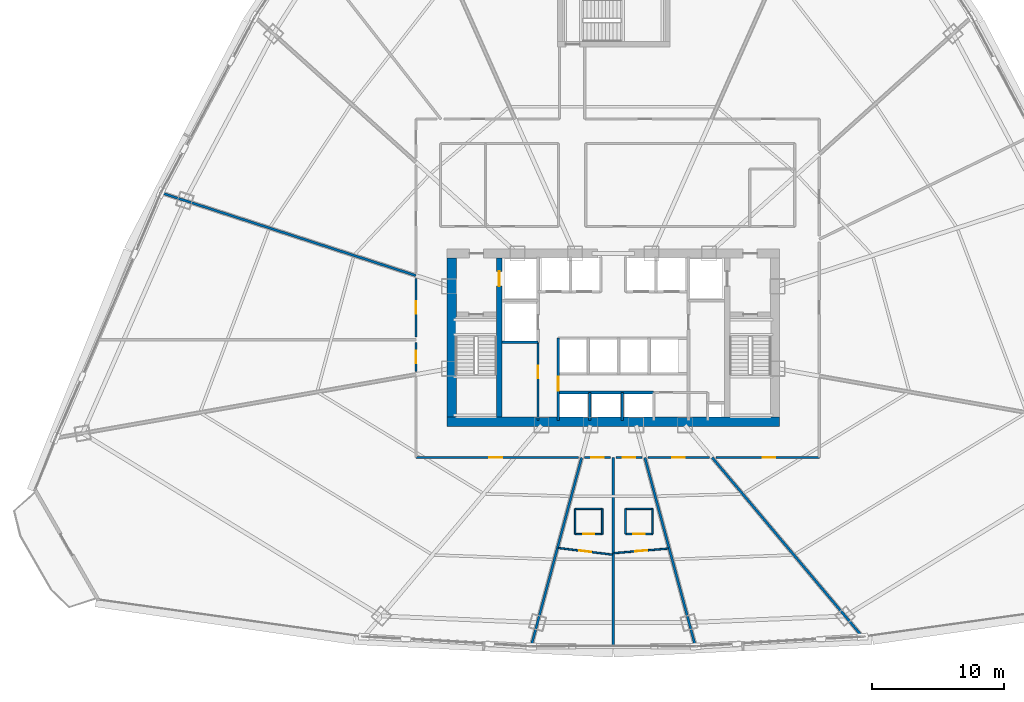
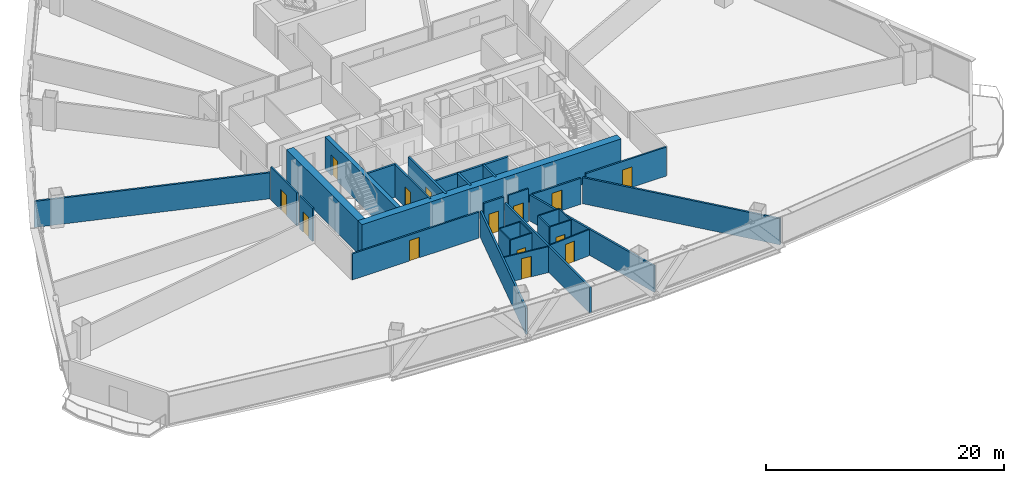
# One storey, part 30 of 38: 31 walls, 14 doors, 14 openings.
"""IFC4 building model written with IfcOpenShell, lengths in metres."""

from ifc_helpers import new_model, si_unit, direction, frame, frame_2d, origin, origin_with_axes, place, context, subcontext, project, spatial, rectangle, extrude, source, transform, mapped, material, layer, layer_set, type_object, element, fill, save


model = new_model("IFC4")

# Units and contexts
model_context = context("Model", 3, precision=1e-05, world=origin(), true_north=direction((0.0, 1.0)))
body_context = subcontext(model_context, "Body", "Model", "MODEL_VIEW")
ifc_project = project(units=[si_unit("LENGTHUNIT", "METRE"), si_unit("AREAUNIT", "SQUARE_METRE"), si_unit("VOLUMEUNIT", "CUBIC_METRE"), si_unit("PLANEANGLEUNIT", "RADIAN"), si_unit("MASSUNIT", "GRAM", prefix="KILO"), si_unit("THERMODYNAMICTEMPERATUREUNIT", "KELVIN"), si_unit("POWERUNIT", "WATT")], contexts=[model_context])

# Site, building, storey
site_placement = place(None, origin())
site = spatial("IfcSite", under=ifc_project, at=site_placement, CompositionType="ELEMENT")
building_placement = place(site_placement, origin())
building = spatial("IfcBuilding", under=site, at=building_placement, Name="Yunzhuo Pagoda Commons", CompositionType="ELEMENT")
storey_placement = place(building_placement, frame((0.0, 0.0, 34.030029296875)))
storey = spatial("IfcBuildingStorey", under=building, at=storey_placement, Name="L08", CompositionType="ELEMENT", Elevation=34.030029296875)

# Walls
ifc_material_1 = material(Name="Concrete C60", Category="concrete")
ifc_layer_1 = layer(ifc_material_1, 0.699951171875)
ifc_layer_set_1 = layer_set([ifc_layer_1], Name="Concrete C60")
wall_type_1 = type_object("IfcWallType", Name="W-C01 Lower Core Shear Wall 700", PredefinedType="SHEAR", material=ifc_layer_set_1)
wall_1_placement = place(storey_placement, frame((35.449951171875, 27.5, 0.0), z_axis=(0.0, 0.0, 1.0), x_axis=(1.0, 0.0, 0.0)))
element("IfcWall", 1, at=wall_1_placement, inside=storey, type_object=wall_type_1, Name="L08 core shear wall S", PredefinedType="SHEAR", context=body_context, shape_type="SweptSolid", body=[
    extrude(rectangle(XDim=25.10009765625, YDim=0.699951171875, at=frame_2d((12.550048828125, 0.0))), origin(), (0.0, 0.0, 1.0), 3.369873046875),
])
wall_2_placement = place(storey_placement, frame((35.800048828125, 27.85009765625, 0.0), z_axis=(0.0, 0.0, 1.0), x_axis=(0.0, 1.0, 0.0)))
element("IfcWall", 2, at=wall_2_placement, inside=storey, type_object=wall_type_1, Name="L08 core shear wall W", PredefinedType="SHEAR", context=body_context, shape_type="SweptSolid", body=[
    extrude(rectangle(XDim=12.0, YDim=0.699951171875, at=frame_2d((6.0, 0.0))), origin(), (0.0, 0.0, 1.0), 3.369873046875),
])

# Wall, opening, door
ifc_material_2 = material(Name="Gypsum plasterboard on acoustic stud")
ifc_layer_2 = layer(ifc_material_2, 0.159912109375)
ifc_layer_set_2 = layer_set([ifc_layer_2], Name="Gypsum plasterboard on acoustic stud")
wall_type_2 = type_object("IfcWallType", Name="W-COR1 Tower Rated Corridor Wall 160", PredefinedType="PARTITIONING", material=ifc_layer_set_2)
wall_3_placement = place(storey_placement, frame((42.320068359375, 27.60009765625, 0.0), z_axis=(0.0, 0.0, 1.0), x_axis=(0.0, 1.0, 0.0)))
wall_3 = element("IfcWall", 3, at=wall_3_placement, inside=storey, type_object=wall_type_2, Name="L08 interior wall IW-L08-CSWE", PredefinedType="PARTITIONING", context=body_context, shape_type="SweptSolid", body=[
    extrude(rectangle(XDim=5.89990234375, YDim=0.159912109375, at=frame_2d((2.949951171875, 0.0))), origin(), (0.0, 0.0, 1.0), 3.369873046875),
])
opening_1_placement = place(wall_3_placement, frame((3.199951171875, 0.0, 0.0)))
opening_1 = element("IfcOpeningElement", 4, at=opening_1_placement, cuts=wall_3, Name="Opening D-11", PredefinedType="OPENING", context=body_context, shape_type="SweptSolid", body=[
    extrude(rectangle(XDim=0.93994140625, YDim=2.10009765625, at=frame_2d((0.469970703125, 1.050048828125))), frame((0.0, 0.08984375, 0.0), z_axis=(0.0, -1.0, 0.0), x_axis=(1.0, 0.0, 0.0)), (0.0, 0.0, 1.0), 0.179931640625),
])
ifc_material_3 = material(Name="Galvanized fire-resisting metal leaf")
door_type_1 = type_object("IfcDoorType", Name="D-11 Accessible Washroom Fire Door 940x2100", OperationType="NOTDEFINED", PredefinedType="DOOR", material=ifc_material_3)
shared_shape_1 = source(origin(), body_context, "Body", "SweptSolid", [
    extrude(rectangle(XDim=0.93994140625, YDim=2.10009765625, at=frame_2d((0.469970703125, 1.050048828125))), frame((0.0, 0.02490234375, 0.0), z_axis=(0.0, -1.0, 0.0), x_axis=(1.0, 0.0, 0.0)), (0.0, 0.0, 1.0), 0.050048828125),
])
door_1_placement = place(opening_1_placement, origin_with_axes())
door_1 = element("IfcDoor", 5, at=door_1_placement, inside=storey, type_object=door_type_1, Name="L08 core WC door", OperationType="SINGLE_SWING_LEFT", OverallHeight=2.10009765625, OverallWidth=0.93994140625, PredefinedType="DOOR", context=body_context, shape_type="MappedRepresentation", body=[
    mapped(shared_shape_1, transform((0.0, 0.0, 0.0), scale=1.0)),
])
fill(opening_1, door_1)

wall_4_placement = place(storey_placement, frame((33.10009765625, 31.29248046875, 0.0), z_axis=(0.0, 0.0, 1.0), x_axis=(0.0, 1.0, 0.0)))
wall_4 = element("IfcWall", 6, at=wall_4_placement, inside=storey, type_object=wall_type_2, Name="L08 interior wall IW-L08-CWL02", PredefinedType="PARTITIONING", context=body_context, shape_type="SweptSolid", body=[
    extrude(rectangle(XDim=2.1875, YDim=0.159912109375, at=frame_2d((1.09375, 0.0))), origin(), (0.0, 0.0, 1.0), 3.369873046875),
])
opening_2_placement = place(wall_4_placement, frame((0.618896484375, 0.0, 0.0)))
opening_2 = element("IfcOpeningElement", 7, at=opening_2_placement, cuts=wall_4, Name="Opening D-06", PredefinedType="OPENING", context=body_context, shape_type="SweptSolid", body=[
    extrude(rectangle(XDim=0.949951171875, YDim=2.10009765625, at=frame_2d((0.47509765625, 1.050048828125))), frame((0.0, 0.08984375, 0.0), z_axis=(0.0, -1.0, 0.0), x_axis=(1.0, 0.0, 0.0)), (0.0, 0.0, 1.0), 0.179931640625),
])
door_type_2 = type_object("IfcDoorType", Name="D-06 Co-Living Suite Entrance Fire Door 950x2100", OperationType="NOTDEFINED", PredefinedType="DOOR", material=ifc_material_3)
shared_shape_2 = source(origin(), body_context, "Body", "SweptSolid", [
    extrude(rectangle(XDim=0.949951171875, YDim=2.10009765625, at=frame_2d((0.47509765625, 1.050048828125))), frame((0.0, 0.02490234375, 0.0), z_axis=(0.0, -1.0, 0.0), x_axis=(1.0, 0.0, 0.0)), (0.0, 0.0, 1.0), 0.050048828125),
])
door_2_placement = place(opening_2_placement, origin_with_axes())
door_2 = element("IfcDoor", 8, at=door_2_placement, inside=storey, type_object=door_type_2, Name="L08 unit 09 entrance door", OperationType="SINGLE_SWING_LEFT", OverallHeight=2.10009765625, OverallWidth=0.949951171875, PredefinedType="DOOR", context=body_context, shape_type="MappedRepresentation", body=[
    mapped(shared_shape_2, transform((0.0, 0.0, 0.0), scale=1.0)),
])
fill(opening_2, door_2)

wall_5_placement = place(storey_placement, frame((33.10009765625, 33.919921875, 0.0), z_axis=(0.0, 0.0, 1.0), x_axis=(0.0, 1.0, 0.0)))
wall_5 = element("IfcWall", 9, at=wall_5_placement, inside=storey, type_object=wall_type_2, Name="L08 interior wall IW-L08-CWL03", PredefinedType="PARTITIONING", context=body_context, shape_type="SweptSolid", body=[
    extrude(rectangle(XDim=4.401611328125, YDim=0.159912109375, at=frame_2d((2.20068359375, 0.0))), origin(), (0.0, 0.0, 1.0), 3.369873046875),
])
opening_3_placement = place(wall_5_placement, frame((1.7255859375, 0.0, 0.0)))
opening_3 = element("IfcOpeningElement", 10, at=opening_3_placement, cuts=wall_5, Name="Opening D-06", PredefinedType="OPENING", context=body_context, shape_type="SweptSolid", body=[
    extrude(rectangle(XDim=0.949951171875, YDim=2.10009765625, at=frame_2d((0.47509765625, 1.050048828125))), frame((0.0, 0.08984375, 0.0), z_axis=(0.0, -1.0, 0.0), x_axis=(1.0, 0.0, 0.0)), (0.0, 0.0, 1.0), 0.179931640625),
])
door_3_placement = place(opening_3_placement, origin_with_axes())
door_3 = element("IfcDoor", 11, at=door_3_placement, inside=storey, type_object=door_type_2, Name="L08 unit 08 entrance door", OperationType="SINGLE_SWING_RIGHT", OverallHeight=2.10009765625, OverallWidth=0.949951171875, PredefinedType="DOOR", context=body_context, shape_type="MappedRepresentation", body=[
    mapped(shared_shape_2, transform((0.0, 0.0, 0.0), scale=1.0)),
])
fill(opening_3, door_3)

wall_6_placement = place(storey_placement, frame((63.550048828125, 24.800048828125, 0.0), z_axis=(0.0, 0.0, 1.0), x_axis=(-1.0, 0.0, 0.0)))
wall_6 = element("IfcWall", 12, at=wall_6_placement, inside=storey, type_object=wall_type_2, Name="L08 interior wall IW-L08-CWL17", PredefinedType="PARTITIONING", context=body_context, shape_type="SweptSolid", body=[
    extrude(rectangle(XDim=7.794921875, YDim=0.159912109375, at=frame_2d((3.8974609375, 0.0))), origin(), (0.0, 0.0, 1.0), 2.969970703125),
])
opening_4_placement = place(wall_6_placement, frame((3.3359375, 0.0, 0.0)))
opening_4 = element("IfcOpeningElement", 13, at=opening_4_placement, cuts=wall_6, Name="Opening D-06", PredefinedType="OPENING", context=body_context, shape_type="SweptSolid", body=[
    extrude(rectangle(XDim=0.949951171875, YDim=2.10009765625, at=frame_2d((0.47509765625, 1.050048828125))), frame((0.0, 0.08984375, 0.0), z_axis=(0.0, -1.0, 0.0), x_axis=(1.0, 0.0, 0.0)), (0.0, 0.0, 1.0), 0.179931640625),
])
door_4_placement = place(opening_4_placement, origin_with_axes())
door_4 = element("IfcDoor", 14, at=door_4_placement, inside=storey, type_object=door_type_2, Name="L08 unit 14 entrance door", OperationType="SINGLE_SWING_RIGHT", OverallHeight=2.10009765625, OverallWidth=0.949951171875, PredefinedType="DOOR", context=body_context, shape_type="MappedRepresentation", body=[
    mapped(shared_shape_2, transform((0.0, 0.0, 0.0), scale=1.0)),
])
fill(opening_4, door_4)

wall_7_placement = place(storey_placement, frame((55.248046875, 24.800048828125, 0.0), z_axis=(0.0, 0.0, 1.0), x_axis=(-1.0, 0.0, 0.0)))
wall_7 = element("IfcWall", 15, at=wall_7_placement, inside=storey, type_object=wall_type_2, Name="L08 interior wall IW-L08-CWL18", PredefinedType="PARTITIONING", context=body_context, shape_type="SweptSolid", body=[
    extrude(rectangle(XDim=4.635498046875, YDim=0.159912109375, at=frame_2d((2.31787109375, 0.0))), origin(), (0.0, 0.0, 1.0), 2.669921875),
])
opening_5_placement = place(wall_7_placement, frame((1.8466796875, 0.0, 0.0)))
opening_5 = element("IfcOpeningElement", 16, at=opening_5_placement, cuts=wall_7, Name="Opening D-06", PredefinedType="OPENING", context=body_context, shape_type="SweptSolid", body=[
    extrude(rectangle(XDim=0.949951171875, YDim=2.10009765625, at=frame_2d((0.47509765625, 1.050048828125))), frame((0.0, 0.08984375, 0.0), z_axis=(0.0, -1.0, 0.0), x_axis=(1.0, 0.0, 0.0)), (0.0, 0.0, 1.0), 0.179931640625),
])
door_5_placement = place(opening_5_placement, origin_with_axes())
door_5 = element("IfcDoor", 17, at=door_5_placement, inside=storey, type_object=door_type_2, Name="L08 unit 13 entrance door", OperationType="SINGLE_SWING_LEFT", OverallHeight=2.10009765625, OverallWidth=0.949951171875, PredefinedType="DOOR", context=body_context, shape_type="MappedRepresentation", body=[
    mapped(shared_shape_2, transform((0.0, 0.0, 0.0), scale=1.0)),
])
fill(opening_5, door_5)

wall_8_placement = place(storey_placement, frame((50.164794921875, 24.800048828125, 0.0), z_axis=(0.0, 0.0, 1.0), x_axis=(-1.0, 0.0, 0.0)))
wall_8 = element("IfcWall", 18, at=wall_8_placement, inside=storey, type_object=wall_type_2, Name="L08 interior wall IW-L08-CWL19", PredefinedType="PARTITIONING", context=body_context, shape_type="SweptSolid", body=[
    extrude(rectangle(XDim=1.94482421875, YDim=0.159912109375, at=frame_2d((0.972412109375, 0.0))), origin(), (0.0, 0.0, 1.0), 3.369873046875),
])
opening_6_placement = place(wall_8_placement, frame((0.49755859375, 0.0, 0.0)))
opening_6 = element("IfcOpeningElement", 19, at=opening_6_placement, cuts=wall_8, Name="Opening D-06", PredefinedType="OPENING", context=body_context, shape_type="SweptSolid", body=[
    extrude(rectangle(XDim=0.949951171875, YDim=2.10009765625, at=frame_2d((0.47509765625, 1.050048828125))), frame((0.0, 0.08984375, 0.0), z_axis=(0.0, -1.0, 0.0), x_axis=(1.0, 0.0, 0.0)), (0.0, 0.0, 1.0), 0.179931640625),
])
door_6_placement = place(opening_6_placement, origin_with_axes())
door_6 = element("IfcDoor", 20, at=door_6_placement, inside=storey, type_object=door_type_2, Name="L08 unit 12 entrance door", OperationType="SINGLE_SWING_RIGHT", OverallHeight=2.10009765625, OverallWidth=0.949951171875, PredefinedType="DOOR", context=body_context, shape_type="MappedRepresentation", body=[
    mapped(shared_shape_2, transform((0.0, 0.0, 0.0), scale=1.0)),
])
fill(opening_6, door_6)

wall_9_placement = place(storey_placement, frame((47.780029296875, 24.800048828125, 0.0), z_axis=(0.0, 0.0, 1.0), x_axis=(-1.0, 0.0, 0.0)))
wall_9 = element("IfcWall", 21, at=wall_9_placement, inside=storey, type_object=wall_type_2, Name="L08 interior wall IW-L08-CWL20", PredefinedType="PARTITIONING", context=body_context, shape_type="SweptSolid", body=[
    extrude(rectangle(XDim=1.94482421875, YDim=0.159912109375, at=frame_2d((0.972412109375, 0.0))), origin(), (0.0, 0.0, 1.0), 3.369873046875),
])
opening_7_placement = place(wall_9_placement, frame((0.497314453125, 0.0, 0.0)))
opening_7 = element("IfcOpeningElement", 22, at=opening_7_placement, cuts=wall_9, Name="Opening D-06", PredefinedType="OPENING", context=body_context, shape_type="SweptSolid", body=[
    extrude(rectangle(XDim=0.949951171875, YDim=2.10009765625, at=frame_2d((0.47509765625, 1.050048828125))), frame((0.0, 0.08984375, 0.0), z_axis=(0.0, -1.0, 0.0), x_axis=(1.0, 0.0, 0.0)), (0.0, 0.0, 1.0), 0.179931640625),
])
door_7_placement = place(opening_7_placement, origin_with_axes())
door_7 = element("IfcDoor", 23, at=door_7_placement, inside=storey, type_object=door_type_2, Name="L08 unit 11 entrance door", OperationType="SINGLE_SWING_LEFT", OverallHeight=2.10009765625, OverallWidth=0.949951171875, PredefinedType="DOOR", context=body_context, shape_type="MappedRepresentation", body=[
    mapped(shared_shape_2, transform((0.0, 0.0, 0.0), scale=1.0)),
])
fill(opening_7, door_7)

wall_10_placement = place(storey_placement, frame((45.387451171875, 24.800048828125, 0.0), z_axis=(0.0, 0.0, 1.0), x_axis=(-1.0, 0.0, 0.0)))
wall_10 = element("IfcWall", 24, at=wall_10_placement, inside=storey, type_object=wall_type_2, Name="L08 interior wall IW-L08-CWL21", PredefinedType="PARTITIONING", context=body_context, shape_type="SweptSolid", body=[
    extrude(rectangle(XDim=12.287353515625, YDim=0.159912109375, at=frame_2d((6.1435546875, 0.0))), origin(), (0.0, 0.0, 1.0), 2.669921875),
])
opening_8_placement = place(wall_10_placement, frame((5.784912109375, 0.0, 0.0)))
opening_8 = element("IfcOpeningElement", 25, at=opening_8_placement, cuts=wall_10, Name="Opening D-06", PredefinedType="OPENING", context=body_context, shape_type="SweptSolid", body=[
    extrude(rectangle(XDim=0.949951171875, YDim=2.10009765625, at=frame_2d((0.47509765625, 1.050048828125))), frame((0.0, 0.08984375, 0.0), z_axis=(0.0, -1.0, 0.0), x_axis=(1.0, 0.0, 0.0)), (0.0, 0.0, 1.0), 0.179931640625),
])
door_8_placement = place(opening_8_placement, origin_with_axes())
door_8 = element("IfcDoor", 26, at=door_8_placement, inside=storey, type_object=door_type_2, Name="L08 Resident Co-Living Commons Hall door", OperationType="SINGLE_SWING_RIGHT", OverallHeight=2.10009765625, OverallWidth=0.949951171875, PredefinedType="DOOR", context=body_context, shape_type="MappedRepresentation", body=[
    mapped(shared_shape_2, transform((0.0, 0.0, 0.0), scale=1.0)),
])
fill(opening_8, door_8)

ifc_layer_3 = layer(ifc_material_2, 0.1201171875)
ifc_layer_set_3 = layer_set([ifc_layer_3], Name="Gypsum plasterboard on acoustic stud")
wall_type_3 = type_object("IfcWallType", Name="W-PRT1 Suite & Bathroom Partition 120", PredefinedType="PARTITIONING", material=ifc_layer_set_3)
wall_11_placement = place(storey_placement, frame((45.115966796875, 19.028076171875, 0.0), z_axis=(0.0, 0.0, 1.0), x_axis=(1.0, 0.0, 0.0)))
wall_11 = element("IfcWall", 27, at=wall_11_placement, inside=storey, type_object=wall_type_3, Name="L08 interior wall IW-L08-B11S", PredefinedType="PARTITIONING", context=body_context, shape_type="SweptSolid", body=[
    extrude(rectangle(XDim=2.050048828125, YDim=0.1201171875, at=frame_2d((1.02490234375, 0.0))), origin(), (0.0, 0.0, 1.0), 3.369873046875),
])
opening_9_placement = place(wall_11_placement, frame((0.60009765625, 0.0, 0.0)))
opening_9 = element("IfcOpeningElement", 28, at=opening_9_placement, cuts=wall_11, Name="Opening D-05", PredefinedType="OPENING", context=body_context, shape_type="SweptSolid", body=[
    extrude(rectangle(XDim=0.85009765625, YDim=2.10009765625, at=frame_2d((0.425048828125, 1.050048828125))), frame((0.0, 0.070068359375, 0.0), z_axis=(0.0, -1.0, 0.0), x_axis=(1.0, 0.0, 0.0)), (0.0, 0.0, 1.0), 0.14013671875),
])
ifc_material_4 = material(Name="Powder-coated aluminium and timber acoustic leaf", Category="wood")
door_type_3 = type_object("IfcDoorType", Name="D-05 En-Suite Bathroom Door 850x2100", OperationType="NOTDEFINED", PredefinedType="DOOR", material=ifc_material_4)
shared_shape_3 = source(origin(), body_context, "Body", "SweptSolid", [
    extrude(rectangle(XDim=0.85009765625, YDim=2.10009765625, at=frame_2d((0.425048828125, 1.050048828125))), frame((0.0, 0.02490234375, 0.0), z_axis=(0.0, -1.0, 0.0), x_axis=(1.0, 0.0, 0.0)), (0.0, 0.0, 1.0), 0.050048828125),
])
door_9_placement = place(opening_9_placement, frame((0.85009765625, 0.0, 0.0), z_axis=(0.0, 0.0, 1.0), x_axis=(-1.0, 0.0, 0.0)))
door_9 = element("IfcDoor", 29, at=door_9_placement, inside=storey, type_object=door_type_3, Name="L08 unit 11 bathroom door", OperationType="SINGLE_SWING_LEFT", OverallHeight=2.10009765625, OverallWidth=0.85009765625, PredefinedType="DOOR", context=body_context, shape_type="MappedRepresentation", body=[
    mapped(shared_shape_3, transform((0.0, 0.0, 0.0), scale=1.0)),
])
fill(opening_9, door_9)

# Walls
wall_12_placement = place(storey_placement, frame((47.166015625, 19.028076171875, 0.0), z_axis=(0.0, 0.0, 1.0), x_axis=(0.0, 1.0, 0.0)))
element("IfcWall", 30, at=wall_12_placement, inside=storey, type_object=wall_type_3, Name="L08 interior wall IW-L08-B11E", PredefinedType="PARTITIONING", context=body_context, shape_type="SweptSolid", body=[
    extrude(rectangle(XDim=1.89990234375, YDim=0.1201171875, at=frame_2d((0.949951171875, 0.0))), origin(), (0.0, 0.0, 1.0), 3.369873046875),
])
wall_13_placement = place(storey_placement, frame((47.166015625, 20.927978515625, 0.0), z_axis=(0.0, 0.0, 1.0), x_axis=(-1.0, 0.0, 0.0)))
element("IfcWall", 31, at=wall_13_placement, inside=storey, type_object=wall_type_3, Name="L08 interior wall IW-L08-B11N", PredefinedType="PARTITIONING", context=body_context, shape_type="SweptSolid", body=[
    extrude(rectangle(XDim=2.050048828125, YDim=0.1201171875, at=frame_2d((1.02490234375, 0.0))), origin(), (0.0, 0.0, 1.0), 3.369873046875),
])
wall_14_placement = place(storey_placement, frame((45.115966796875, 20.927978515625, 0.0), z_axis=(0.0, 0.0, 1.0), x_axis=(0.0, -1.0, 0.0)))
element("IfcWall", 32, at=wall_14_placement, inside=storey, type_object=wall_type_3, Name="L08 interior wall IW-L08-B11W", PredefinedType="PARTITIONING", context=body_context, shape_type="SweptSolid", body=[
    extrude(rectangle(XDim=1.89990234375, YDim=0.1201171875, at=frame_2d((0.949951171875, 0.0))), origin(), (0.0, 0.0, 1.0), 3.369873046875),
])

# Wall, opening, door
wall_15_placement = place(storey_placement, frame((43.85009765625, 17.980712890625, 0.0), z_axis=(0.0, 0.0, 1.0), x_axis=(0.992487897066, -0.122342855029, 0.0)))
wall_15 = element("IfcWall", 33, at=wall_15_placement, inside=storey, type_object=wall_type_3, Name="L08 interior wall IW-L08-CLB11", PredefinedType="PARTITIONING", context=body_context, shape_type="SweptSolid", body=[
    extrude(rectangle(XDim=4.120849609375, YDim=0.1201171875, at=frame_2d((2.060546875, 0.0))), origin(), (0.0, 0.0, 1.0), 2.669921875),
])
opening_10_placement = place(wall_15_placement, frame((1.600341796875, 0.0, 0.0)))
opening_10 = element("IfcOpeningElement", 34, at=opening_10_placement, cuts=wall_15, Name="Opening D-04", PredefinedType="OPENING", context=body_context, shape_type="SweptSolid", body=[
    extrude(rectangle(XDim=0.919921875, YDim=2.10009765625, at=frame_2d((0.4599609375, 1.050048828125))), frame((0.0, 0.070068359375, 0.0), z_axis=(0.0, -1.0, 0.0), x_axis=(1.0, 0.0, 0.0)), (0.0, 0.0, 1.0), 0.14013671875),
])
door_type_4 = type_object("IfcDoorType", Name="D-04 Bedroom & Study Interior Door 920x2100", OperationType="NOTDEFINED", PredefinedType="DOOR", material=ifc_material_4)
shared_shape_4 = source(origin(), body_context, "Body", "SweptSolid", [
    extrude(rectangle(XDim=0.919921875, YDim=2.10009765625, at=frame_2d((0.4599609375, 1.050048828125))), frame((0.0, 0.02490234375, 0.0), z_axis=(0.0, -1.0, 0.0), x_axis=(1.0, 0.0, 0.0)), (0.0, 0.0, 1.0), 0.050048828125),
])
door_10_placement = place(opening_10_placement, origin_with_axes())
door_10 = element("IfcDoor", 35, at=door_10_placement, inside=storey, type_object=door_type_4, Name="L08 suite 11 bedroom door", OperationType="SINGLE_SWING_LEFT", OverallHeight=2.10009765625, OverallWidth=0.919921875, PredefinedType="DOOR", context=body_context, shape_type="MappedRepresentation", body=[
    mapped(shared_shape_4, transform((0.0, 0.0, 0.0), scale=1.0)),
])
fill(opening_10, door_10)

wall_16_placement = place(storey_placement, frame((48.924072265625, 19.037109375, 0.0), z_axis=(0.0, 0.0, 1.0), x_axis=(1.0, 0.0, 0.0)))
wall_16 = element("IfcWall", 36, at=wall_16_placement, inside=storey, type_object=wall_type_3, Name="L08 interior wall IW-L08-B12S", PredefinedType="PARTITIONING", context=body_context, shape_type="SweptSolid", body=[
    extrude(rectangle(XDim=2.050048828125, YDim=0.1201171875, at=frame_2d((1.02490234375, 0.0))), origin(), (0.0, 0.0, 1.0), 3.369873046875),
])
opening_11_placement = place(wall_16_placement, frame((0.60009765625, 0.0, 0.0)))
opening_11 = element("IfcOpeningElement", 37, at=opening_11_placement, cuts=wall_16, Name="Opening D-05", PredefinedType="OPENING", context=body_context, shape_type="SweptSolid", body=[
    extrude(rectangle(XDim=0.85009765625, YDim=2.10009765625, at=frame_2d((0.425048828125, 1.050048828125))), frame((0.0, 0.070068359375, 0.0), z_axis=(0.0, -1.0, 0.0), x_axis=(1.0, 0.0, 0.0)), (0.0, 0.0, 1.0), 0.14013671875),
])
door_11_placement = place(opening_11_placement, frame((0.85009765625, 0.0, 0.0), z_axis=(0.0, 0.0, 1.0), x_axis=(-1.0, 0.0, 0.0)))
door_11 = element("IfcDoor", 38, at=door_11_placement, inside=storey, type_object=door_type_3, Name="L08 unit 12 bathroom door", OperationType="SINGLE_SWING_RIGHT", OverallHeight=2.10009765625, OverallWidth=0.85009765625, PredefinedType="DOOR", context=body_context, shape_type="MappedRepresentation", body=[
    mapped(shared_shape_3, transform((0.0, 0.0, 0.0), scale=1.0)),
])
fill(opening_11, door_11)

# Walls
wall_17_placement = place(storey_placement, frame((50.97412109375, 19.037109375, 0.0), z_axis=(0.0, 0.0, 1.0), x_axis=(0.0, 1.0, 0.0)))
element("IfcWall", 39, at=wall_17_placement, inside=storey, type_object=wall_type_3, Name="L08 interior wall IW-L08-B12E", PredefinedType="PARTITIONING", context=body_context, shape_type="SweptSolid", body=[
    extrude(rectangle(XDim=1.89990234375, YDim=0.1201171875, at=frame_2d((0.949951171875, 0.0))), origin(), (0.0, 0.0, 1.0), 3.369873046875),
])
wall_18_placement = place(storey_placement, frame((50.97412109375, 20.93701171875, 0.0), z_axis=(0.0, 0.0, 1.0), x_axis=(-1.0, 0.0, 0.0)))
element("IfcWall", 40, at=wall_18_placement, inside=storey, type_object=wall_type_3, Name="L08 interior wall IW-L08-B12N", PredefinedType="PARTITIONING", context=body_context, shape_type="SweptSolid", body=[
    extrude(rectangle(XDim=2.050048828125, YDim=0.1201171875, at=frame_2d((1.02490234375, 0.0))), origin(), (0.0, 0.0, 1.0), 3.369873046875),
])
wall_19_placement = place(storey_placement, frame((48.924072265625, 20.93701171875, 0.0), z_axis=(0.0, 0.0, 1.0), x_axis=(0.0, -1.0, 0.0)))
element("IfcWall", 41, at=wall_19_placement, inside=storey, type_object=wall_type_3, Name="L08 interior wall IW-L08-B12W", PredefinedType="PARTITIONING", context=body_context, shape_type="SweptSolid", body=[
    extrude(rectangle(XDim=1.89990234375, YDim=0.1201171875, at=frame_2d((0.949951171875, 0.0))), origin(), (0.0, 0.0, 1.0), 3.369873046875),
])

# Wall, opening, door
wall_20_placement = place(storey_placement, frame((48.06005859375, 17.591796875, 0.0), z_axis=(0.0, 0.0, 1.0), x_axis=(0.996481649932, 0.083811224485, 0.0)))
wall_20 = element("IfcWall", 42, at=wall_20_placement, inside=storey, type_object=wall_type_3, Name="L08 interior wall IW-L08-CLB12", PredefinedType="PARTITIONING", context=body_context, shape_type="SweptSolid", body=[
    extrude(rectangle(XDim=4.115966796875, YDim=0.1201171875, at=frame_2d((2.05810546875, 0.0))), origin(), (0.0, 0.0, 1.0), 2.669921875),
])
opening_12_placement = place(wall_20_placement, frame((1.59814453125, 0.0, 0.0)))
opening_12 = element("IfcOpeningElement", 43, at=opening_12_placement, cuts=wall_20, Name="Opening D-04", PredefinedType="OPENING", context=body_context, shape_type="SweptSolid", body=[
    extrude(rectangle(XDim=0.919921875, YDim=2.10009765625, at=frame_2d((0.4599609375, 1.050048828125))), frame((0.0, 0.070068359375, 0.0), z_axis=(0.0, -1.0, 0.0), x_axis=(1.0, 0.0, 0.0)), (0.0, 0.0, 1.0), 0.14013671875),
])
door_12_placement = place(opening_12_placement, origin_with_axes())
door_12 = element("IfcDoor", 44, at=door_12_placement, inside=storey, type_object=door_type_4, Name="L08 suite 12 bedroom door", OperationType="SINGLE_SWING_RIGHT", OverallHeight=2.10009765625, OverallWidth=0.919921875, PredefinedType="DOOR", context=body_context, shape_type="MappedRepresentation", body=[
    mapped(shared_shape_4, transform((0.0, 0.0, 0.0), scale=1.0)),
])
fill(opening_12, door_12)

# Walls
ifc_layer_4 = layer(ifc_material_2, 0.179931640625)
ifc_layer_set_4 = layer_set([ifc_layer_4], Name="Gypsum plasterboard on acoustic stud")
wall_type_4 = type_object("IfcWallType", Name="W-PRT2 Acoustic Unit Demising Wall 180", PredefinedType="PARTITIONING", material=ifc_layer_set_4)
wall_21_placement = place(storey_placement, frame((33.10009765625, 38.541259765625, 0.0), z_axis=(0.0, 0.0, 1.0), x_axis=(-0.951056237035, 0.309017853848, 0.0)))
element("IfcWall", 45, at=wall_21_placement, inside=storey, type_object=wall_type_4, Name="L08 interior wall IW-L08-RAD07", PredefinedType="PARTITIONING", context=body_context, shape_type="SweptSolid", body=[
    extrude(rectangle(XDim=20.23095703125, YDim=0.179931640625, at=frame_2d((10.115478515625, 0.0))), origin(), (0.0, 0.0, 1.0), 2.669921875),
])
wall_22_placement = place(storey_placement, frame((45.615234375, 24.800048828125, 0.0), z_axis=(0.0, 0.0, 1.0), x_axis=(-0.258822100979, -0.965925007464, 0.0)))
element("IfcWall", 46, at=wall_22_placement, inside=storey, type_object=wall_type_4, Name="L08 interior wall IW-L08-RAD10", PredefinedType="PARTITIONING", context=body_context, shape_type="SweptSolid", body=[
    extrude(rectangle(XDim=14.754638671875, YDim=0.179931640625, at=frame_2d((7.37744140625, 0.0))), origin(), (0.0, 0.0, 1.0), 2.669921875),
])
wall_23_placement = place(storey_placement, frame((48.0, 24.800048828125, 0.0), z_axis=(0.0, 0.0, 1.0), x_axis=(0.0, -1.0, 0.0)))
element("IfcWall", 47, at=wall_23_placement, inside=storey, type_object=wall_type_4, Name="L08 interior wall IW-L08-RAD11", PredefinedType="PARTITIONING", context=body_context, shape_type="SweptSolid", body=[
    extrude(rectangle(XDim=14.251953125, YDim=0.179931640625, at=frame_2d((7.1259765625, 0.0))), origin(), (0.0, 0.0, 1.0), 2.669921875),
])
wall_24_placement = place(storey_placement, frame((50.384765625, 24.800048828125, 0.0), z_axis=(0.0, 0.0, 1.0), x_axis=(0.258822100979, -0.965925007464, 0.0)))
element("IfcWall", 48, at=wall_24_placement, inside=storey, type_object=wall_type_4, Name="L08 interior wall IW-L08-RAD12", PredefinedType="PARTITIONING", context=body_context, shape_type="SweptSolid", body=[
    extrude(rectangle(XDim=14.754638671875, YDim=0.179931640625, at=frame_2d((7.37744140625, 0.0))), origin(), (0.0, 0.0, 1.0), 2.669921875),
])
wall_25_placement = place(storey_placement, frame((55.468017578125, 24.800048828125, 0.0), z_axis=(0.0, 0.0, 1.0), x_axis=(0.642784869497, -0.766046742403, 0.0)))
element("IfcWall", 49, at=wall_25_placement, inside=storey, type_object=wall_type_4, Name="L08 interior wall IW-L08-RAD13", PredefinedType="PARTITIONING", context=body_context, shape_type="SweptSolid", body=[
    extrude(rectangle(XDim=17.649658203125, YDim=0.179931640625, at=frame_2d((8.82470703125, 0.0))), origin(), (0.0, 0.0, 1.0), 2.669921875),
])

# Wall, opening, door
ifc_layer_5 = layer(ifc_material_1, 0.39990234375)
ifc_layer_set_5 = layer_set([ifc_layer_5], Name="Concrete C60")
wall_type_5 = type_object("IfcWallType", Name="W-S01 Internal Core Shear Web 400", PredefinedType="SHEAR", material=ifc_layer_set_5)
wall_26_placement = place(storey_placement, frame((39.39990234375, 27.85009765625, 0.0), z_axis=(0.0, 0.0, 1.0), x_axis=(0.0, 1.0, 0.0)))
wall_26 = element("IfcWall", 50, at=wall_26_placement, inside=storey, type_object=wall_type_5, Name="L08 core shear wall WEBW", PredefinedType="SHEAR", context=body_context, shape_type="SweptSolid", body=[
    extrude(rectangle(XDim=12.0, YDim=0.39990234375, at=frame_2d((6.0, 0.0))), origin(), (0.0, 0.0, 1.0), 3.369873046875),
])
opening_13_placement = place(wall_26_placement, frame((9.89990234375, 0.0, 0.0)))
opening_13 = element("IfcOpeningElement", 51, at=opening_13_placement, cuts=wall_26, Name="Opening LD-01", PredefinedType="OPENING", context=body_context, shape_type="SweptSolid", body=[
    extrude(rectangle(XDim=1.10009765625, YDim=2.10009765625, at=frame_2d((0.550048828125, 1.050048828125))), frame((0.0, 0.2099609375, 0.0), z_axis=(0.0, -1.0, 0.0), x_axis=(1.0, 0.0, 0.0)), (0.0, 0.0, 1.0), 0.419921875),
])
door_type_5 = type_object("IfcDoorType", Name="LD-01 Firefighting Lift Landing Door 1100x2100", OperationType="DOUBLE_DOOR_SLIDING", PredefinedType="DOOR", material=ifc_material_3)
shared_shape_5 = source(origin(), body_context, "Body", "SweptSolid", [
    extrude(rectangle(XDim=1.10009765625, YDim=2.10009765625, at=frame_2d((0.550048828125, 1.050048828125))), frame((0.0, 0.02490234375, 0.0), z_axis=(0.0, -1.0, 0.0), x_axis=(1.0, 0.0, 0.0)), (0.0, 0.0, 1.0), 0.050048828125),
])
door_13_placement = place(opening_13_placement, frame((1.10009765625, 0.0, 0.0), z_axis=(0.0, 0.0, 1.0), x_axis=(-1.0, 0.0, 0.0)))
door_13 = element("IfcDoor", 52, at=door_13_placement, inside=storey, type_object=door_type_5, Name="L08 Firefighting lift FL-1 landing door", OperationType="DOUBLE_DOOR_SLIDING", OverallHeight=2.10009765625, OverallWidth=1.10009765625, PredefinedType="DOOR", context=body_context, shape_type="MappedRepresentation", body=[
    mapped(shared_shape_5, transform((0.0, 0.0, 0.0), scale=1.0)),
])
fill(opening_13, door_13)

# Wall
ifc_material_5 = material(Name="Concrete C40", Category="concrete")
ifc_layer_6 = layer(ifc_material_5, 0.199951171875)
ifc_layer_set_6 = layer_set([ifc_layer_6], Name="Concrete C40")
wall_type_6 = type_object("IfcWallType", Name="W-SHF Shaft & Stair Enclosure Wall 200", PredefinedType="SOLIDWALL", material=ifc_layer_set_6)
wall_27_placement = place(storey_placement, frame((39.60009765625, 33.5, 0.0), z_axis=(0.0, 0.0, 1.0), x_axis=(1.0, 0.0, 0.0)))
element("IfcWall", 53, at=wall_27_placement, inside=storey, type_object=wall_type_6, Name="L08 interior wall IW-L08-SL1S", PredefinedType="SOLIDWALL", context=body_context, shape_type="SweptSolid", body=[
    extrude(rectangle(XDim=2.719970703125, YDim=0.199951171875, at=frame_2d((1.35986328125, 0.0))), origin(), (0.0, 0.0, 1.0), 3.369873046875),
])

# Wall, opening, door
wall_28_placement = place(storey_placement, frame((43.85009765625, 27.60009765625, 0.0), z_axis=(0.0, 0.0, 1.0), x_axis=(0.0, 1.0, 0.0)))
wall_28 = element("IfcWall", 54, at=wall_28_placement, inside=storey, type_object=wall_type_6, Name="L08 interior wall IW-L08-PLMW", PredefinedType="SOLIDWALL", context=body_context, shape_type="SweptSolid", body=[
    extrude(rectangle(XDim=6.219970703125, YDim=0.199951171875, at=frame_2d((3.10986328125, 0.0))), origin(), (0.0, 0.0, 1.0), 3.369873046875),
])
opening_14_placement = place(wall_28_placement, frame((2.25, 0.0, 0.0)))
opening_14 = element("IfcOpeningElement", 55, at=opening_14_placement, cuts=wall_28, Name="Opening D-02", PredefinedType="OPENING", context=body_context, shape_type="SweptSolid", body=[
    extrude(rectangle(XDim=1.050048828125, YDim=2.10009765625, at=frame_2d((0.52490234375, 1.050048828125))), frame((0.0, 0.10986328125, 0.0), z_axis=(0.0, -1.0, 0.0), x_axis=(1.0, 0.0, 0.0)), (0.0, 0.0, 1.0), 0.219970703125),
])
door_type_6 = type_object("IfcDoorType", Name="D-02 Firefighting Lobby & Refuge Fire Door 1050x2100", OperationType="NOTDEFINED", PredefinedType="DOOR", material=ifc_material_3)
shared_shape_6 = source(origin(), body_context, "Body", "SweptSolid", [
    extrude(rectangle(XDim=1.050048828125, YDim=2.10009765625, at=frame_2d((0.52490234375, 1.050048828125))), frame((0.0, 0.02490234375, 0.0), z_axis=(0.0, -1.0, 0.0), x_axis=(1.0, 0.0, 0.0)), (0.0, 0.0, 1.0), 0.050048828125),
])
door_14_placement = place(opening_14_placement, frame((1.050048828125, 0.0, 0.0), z_axis=(0.0, 0.0, 1.0), x_axis=(-1.0, 0.0, 0.0)))
door_14 = element("IfcDoor", 56, at=door_14_placement, inside=storey, type_object=door_type_6, Name="L08 High-bank hall west door", OperationType="SINGLE_SWING_LEFT", OverallHeight=2.10009765625, OverallWidth=1.050048828125, PredefinedType="DOOR", context=body_context, shape_type="MappedRepresentation", body=[
    mapped(shared_shape_6, transform((0.0, 0.0, 0.0), scale=1.0)),
])
fill(opening_14, door_14)

# Walls
wall_29_placement = place(storey_placement, frame((43.85009765625, 29.719970703125, 0.0), z_axis=(0.0, 0.0, 1.0), x_axis=(1.0, 0.0, 0.0)))
element("IfcWall", 57, at=wall_29_placement, inside=storey, type_object=wall_type_6, Name="L08 interior wall IW-L08-PLHN", PredefinedType="SOLIDWALL", context=body_context, shape_type="SweptSolid", body=[
    extrude(rectangle(XDim=7.199951171875, YDim=0.199951171875, at=frame_2d((3.60009765625, 0.0))), origin(), (0.0, 0.0, 1.0), 3.369873046875),
])
for number, where, z_axis, x_axis, name in (
    (58, (46.22509765625, 27.60009765625, 0.0), (0.0, 0.0, 1.0), (0.0, 1.0, 0.0), "L08 interior wall IW-L08-PLHD1"),
    (59, (48.675048828125, 27.60009765625, 0.0), (0.0, 0.0, 1.0), (0.0, 1.0, 0.0), "L08 interior wall IW-L08-PLHD2"),
):
    element("IfcWall", number, at=place(storey_placement, frame(where, z_axis=z_axis, x_axis=x_axis)), inside=storey, type_object=wall_type_6, Name=name, PredefinedType="SOLIDWALL", context=body_context, shape_type="SweptSolid", body=[
        extrude(rectangle(XDim=2.119873046875, YDim=0.199951171875, at=frame_2d((1.06005859375, 0.0))), origin(), (0.0, 0.0, 1.0), 3.369873046875),
    ])

save(model, "model.ifc")
